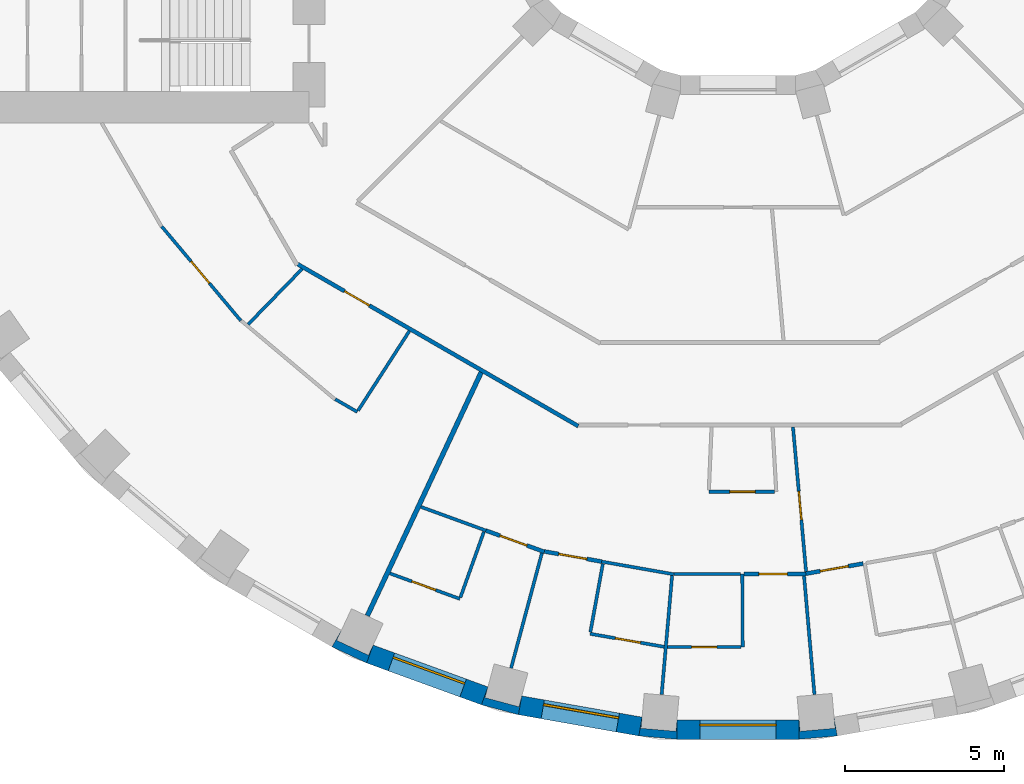
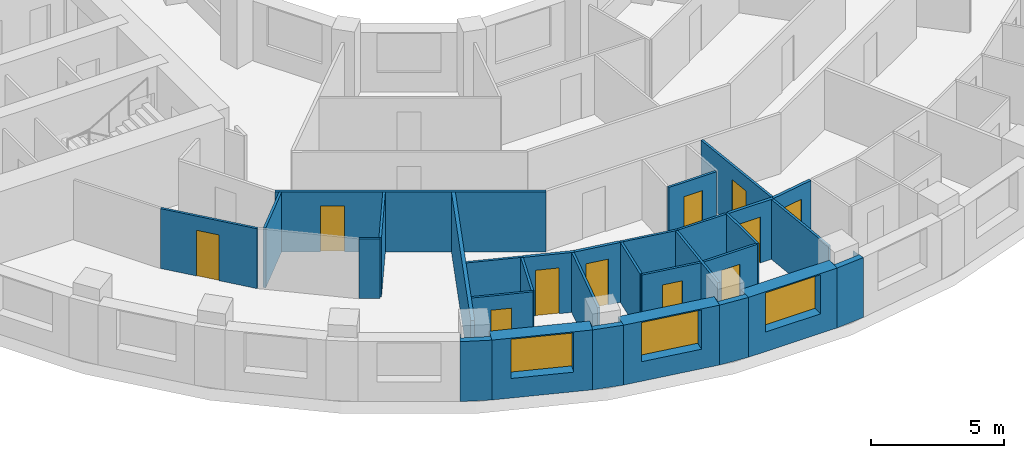
# One storey, part 4 of 15: 31 walls, 11 doors, 3 windows, 14 openings.
"""IFC4 building model written with IfcOpenShell, lengths in metres."""

from ifc_helpers import new_model, si_unit, direction, frame, frame_2d, origin, place, context, subcontext, project, spatial, polyline, rectangle, outline, extrude, material, layer, layer_set, type_object, element, fill, save


model = new_model("IFC4")

# Units and contexts
model_context = context("Model", 3, precision=1e-05, world=origin(), true_north=direction((0.0, 1.0)))
body_context = subcontext(model_context, "Body", "Model", "MODEL_VIEW")
ifc_project = project(units=[si_unit("LENGTHUNIT", "METRE"), si_unit("AREAUNIT", "SQUARE_METRE"), si_unit("VOLUMEUNIT", "CUBIC_METRE"), si_unit("PLANEANGLEUNIT", "RADIAN"), si_unit("MASSUNIT", "GRAM", prefix="KILO")], contexts=[model_context])

# Site, building, storey
site_placement = place(None, origin())
site = spatial("IfcSite", under=ifc_project, at=site_placement, CompositionType="ELEMENT")
building_placement = place(site_placement, origin())
building = spatial("IfcBuilding", under=site, at=building_placement, Name="Saqina Gate Tower", CompositionType="ELEMENT")
storey_placement = place(building_placement, frame((0.0, 0.0, 62.60009765625)))
storey = spatial("IfcBuildingStorey", under=building, at=storey_placement, Name="L17", CompositionType="ELEMENT", Elevation=62.60009765625)

# Walls
ifc_material_1 = material(Name="Brick masonry (red)", Category="masonry")
wall_type_1 = type_object("IfcWallType", Name="BRICK PIER COPING RED", PredefinedType="SOLIDWALL", material=ifc_material_1)
wall_1_placement = place(storey_placement, origin())
element("IfcWall", 1, at=wall_1_placement, inside=storey, type_object=wall_type_1, Name="Pier cap L17 column 25", PredefinedType="SOLIDWALL", context=body_context, shape_type="SweptSolid", body=[
    extrude(outline(polyline([(-11.687744140625, -26.48974609375), (-11.482666015625, -25.92578125), (-11.630615234375, -26.243408203125), (-12.627685546875, -25.778564453125), (-12.4794921875, -25.4609375), (-12.779541015625, -25.980712890625), (-11.687744140625, -26.48974609375)])), origin(), (0.0, 0.0, 1.0), 2.75),
])
wall_2_placement = place(storey_placement, origin())
element("IfcWall", 2, at=wall_2_placement, inside=storey, type_object=wall_type_1, Name="Pier cap L17 column 26", PredefinedType="SOLIDWALL", context=body_context, shape_type="SweptSolid", body=[
    extrude(outline(polyline([(-6.910400390625, -28.11669921875), (-6.80615234375, -27.52587890625), (-6.896728515625, -27.864501953125), (-7.95947265625, -27.57958984375), (-7.86865234375, -27.2412109375), (-8.073974609375, -27.80517578125), (-6.910400390625, -28.11669921875)])), origin(), (0.0, 0.0, 1.0), 2.75),
])
wall_3_placement = place(storey_placement, origin())
element("IfcWall", 3, at=wall_3_placement, inside=storey, type_object=wall_type_1, Name="Pier cap L17 column 27", PredefinedType="SOLIDWALL", context=body_context, shape_type="SweptSolid", body=[
    extrude(outline(polyline([(-3.122802734375, -28.78466796875), (-1.9228515625, -28.8896484375), (-1.9228515625, -28.28955078125), (-1.95361328125, -28.638671875), (-3.04931640625, -28.54296875), (-3.018798828125, -28.19384765625), (-3.122802734375, -28.78466796875)])), origin(), (0.0, 0.0, 1.0), 2.75),
])
wall_4_placement = place(storey_placement, origin())
element("IfcWall", 4, at=wall_4_placement, inside=storey, type_object=wall_type_1, Name="Pier cap L17 column 28", PredefinedType="SOLIDWALL", context=body_context, shape_type="SweptSolid", body=[
    extrude(outline(polyline([(1.9228515625, -28.8896484375), (3.122802734375, -28.78466796875), (3.018798828125, -28.19384765625), (3.04931640625, -28.54296875), (1.95361328125, -28.638671875), (1.9228515625, -28.28955078125), (1.9228515625, -28.8896484375)])), origin(), (0.0, 0.0, 1.0), 2.75),
])

# Wall, opening, window
ifc_material_2 = material(Name="Brick masonry (red)", Category="masonry")
ifc_layer_1 = layer(ifc_material_2, 0.60009765625)
ifc_layer_set_1 = layer_set([ifc_layer_1], Name="FW-BRICK-RED")
wall_type_2 = type_object("IfcWallType", Name="FW-BRICK-RED", PredefinedType="SOLIDWALL", material=ifc_layer_set_1)
wall_5_placement = place(storey_placement, frame((-11.585205078125, -26.207763671875, 0.0), z_axis=(0.0, 0.0, 1.0), x_axis=(0.939689588564, -0.342028474173, 0.0)))
wall_5 = element("IfcWall", 5, at=wall_5_placement, inside=storey, type_object=wall_type_2, Name="Facade wall L17 facet 25", PredefinedType="SOLIDWALL", context=body_context, shape_type="SweptSolid", body=[
    extrude(rectangle(XDim=3.845947265625, YDim=0.60009765625, at=frame_2d((1.9228515625, 0.0))), origin(), (0.0, 0.0, 1.0), 2.75),
])
opening_1_placement = place(wall_5_placement, frame((0.722900390625, 0.0, 0.89990234375)))
opening_1 = element("IfcOpeningElement", 6, at=opening_1_placement, cuts=wall_5, Name="Opening G04-W15", PredefinedType="OPENING", context=body_context, shape_type="SweptSolid", body=[
    extrude(rectangle(XDim=2.39990234375, YDim=1.800048828125, at=frame_2d((1.199951171875, 0.89990234375))), frame((0.0, 0.31201171875, 0.0), z_axis=(0.0, -1.0, 0.0), x_axis=(1.0, 0.0, 0.0)), (0.0, 0.0, 1.0), 0.6240234375),
])
ifc_material_3 = material(Name="Aluminium glazing", Category="aluminium")
window_type = type_object("IfcWindowType", Name="WN-A", PartitioningType="SINGLE_PANEL", PredefinedType="WINDOW", material=ifc_material_3)
window_1_placement = place(opening_1_placement, origin())
window_1 = element("IfcWindow", 7, at=window_1_placement, inside=storey, type_object=window_type, Name="Window L17 facet 25", OverallHeight=1.800048828125, OverallWidth=2.39990234375, PartitioningType="SINGLE_PANEL", PredefinedType="WINDOW", context=body_context, shape_type="SweptSolid", body=[
    extrude(rectangle(XDim=2.39990234375, YDim=1.800048828125, at=frame_2d((1.199951171875, 0.89990234375))), frame((0.0, 0.179931640625, 0.0), z_axis=(0.0, -1.0, 0.0), x_axis=(1.0, 0.0, 0.0)), (0.0, 0.0, 1.0), 0.06005859375),
])
fill(opening_1, window_1)

wall_6_placement = place(storey_placement, frame((-6.858154296875, -27.8212890625, 0.0), z_axis=(0.0, 0.0, 1.0), x_axis=(0.984800809218, -0.173687553279, 0.0)))
wall_6 = element("IfcWall", 8, at=wall_6_placement, inside=storey, type_object=wall_type_2, Name="Facade wall L17 facet 26", PredefinedType="SOLIDWALL", context=body_context, shape_type="SweptSolid", body=[
    extrude(rectangle(XDim=3.845703125, YDim=0.60009765625, at=frame_2d((1.9228515625, 0.0))), origin(), (0.0, 0.0, 1.0), 2.75),
])
opening_2_placement = place(wall_6_placement, frame((0.722900390625, 0.0, 0.89990234375)))
opening_2 = element("IfcOpeningElement", 9, at=opening_2_placement, cuts=wall_6, Name="Opening G04-W16", PredefinedType="OPENING", context=body_context, shape_type="SweptSolid", body=[
    extrude(rectangle(XDim=2.39990234375, YDim=1.800048828125, at=frame_2d((1.199951171875, 0.89990234375))), frame((0.0, 0.31201171875, 0.0), z_axis=(0.0, -1.0, 0.0), x_axis=(1.0, 0.0, 0.0)), (0.0, 0.0, 1.0), 0.6240234375),
])
window_2_placement = place(opening_2_placement, origin())
window_2 = element("IfcWindow", 10, at=window_2_placement, inside=storey, type_object=window_type, Name="Window L17 facet 26", OverallHeight=1.800048828125, OverallWidth=2.39990234375, PartitioningType="SINGLE_PANEL", PredefinedType="WINDOW", context=body_context, shape_type="SweptSolid", body=[
    extrude(rectangle(XDim=2.39990234375, YDim=1.800048828125, at=frame_2d((1.199951171875, 0.89990234375))), frame((0.0, 0.179931640625, 0.0), z_axis=(0.0, -1.0, 0.0), x_axis=(1.0, 0.0, 0.0)), (0.0, 0.0, 1.0), 0.06005859375),
])
fill(opening_2, window_2)

wall_7_placement = place(storey_placement, frame((-1.9228515625, -28.589599609375, 0.0), z_axis=(0.0, 0.0, 1.0), x_axis=(1.0, 0.0, 0.0)))
wall_7 = element("IfcWall", 11, at=wall_7_placement, inside=storey, type_object=wall_type_2, Name="Facade wall L17 facet 27", PredefinedType="SOLIDWALL", context=body_context, shape_type="SweptSolid", body=[
    extrude(rectangle(XDim=3.845703125, YDim=0.60009765625, at=frame_2d((1.9228515625, 0.0))), origin(), (0.0, 0.0, 1.0), 2.75),
])
opening_3_placement = place(wall_7_placement, frame((0.722900390625, 0.0, 0.89990234375)))
opening_3 = element("IfcOpeningElement", 12, at=opening_3_placement, cuts=wall_7, Name="Opening G04-W17", PredefinedType="OPENING", context=body_context, shape_type="SweptSolid", body=[
    extrude(rectangle(XDim=2.39990234375, YDim=1.800048828125, at=frame_2d((1.199951171875, 0.89990234375))), frame((0.0, 0.31201171875, 0.0), z_axis=(0.0, -1.0, 0.0), x_axis=(1.0, 0.0, 0.0)), (0.0, 0.0, 1.0), 0.6240234375),
])
window_3_placement = place(opening_3_placement, origin())
window_3 = element("IfcWindow", 13, at=window_3_placement, inside=storey, type_object=window_type, Name="Window L17 facet 27", OverallHeight=1.800048828125, OverallWidth=2.39990234375, PartitioningType="SINGLE_PANEL", PredefinedType="WINDOW", context=body_context, shape_type="SweptSolid", body=[
    extrude(rectangle(XDim=2.39990234375, YDim=1.800048828125, at=frame_2d((1.199951171875, 0.89990234375))), frame((0.0, 0.179931640625, 0.0), z_axis=(0.0, -1.0, 0.0), x_axis=(1.0, 0.0, 0.0)), (0.0, 0.0, 1.0), 0.06005859375),
])
fill(opening_3, window_3)

# Walls
ifc_material_4 = material(Name="Gypsum board on steel studs, 100 mm", Category="steel")
ifc_layer_2 = layer(ifc_material_4, 0.10009765625)
ifc_layer_set_2 = layer_set([ifc_layer_2], Name="PARTITION 100")
wall_type_3 = type_object("IfcWallType", Name="PARTITION 100", PredefinedType="PARTITIONING", material=ifc_layer_set_2)
wall_8_placement = place(storey_placement, frame((0.133056640625, -23.68994140625, 0.0), z_axis=(0.0, 0.0, 1.0), x_axis=(0.005625640731, -0.999984175958, 0.0)))
element("IfcWall", 14, at=wall_8_placement, inside=storey, type_object=wall_type_3, Name="PARTITION PW3-01", PredefinedType="PARTITIONING", context=body_context, shape_type="SweptSolid", body=[
    extrude(rectangle(XDim=2.300048828125, YDim=0.10009765625, at=frame_2d((1.14990234375, 0.0))), origin(), (0.0, 0.0, 1.0), 2.75),
])
wall_9_placement = place(storey_placement, frame((2.07666015625, -23.75244140625, 0.0), z_axis=(0.0, 0.0, 1.0), x_axis=(0.087439331166, -0.996169846645, 0.0)))
element("IfcWall", 15, at=wall_9_placement, inside=storey, type_object=wall_type_3, Name="PARTITION PW3-03", PredefinedType="PARTITIONING", context=body_context, shape_type="SweptSolid", body=[
    extrude(rectangle(XDim=3.7470703125, YDim=0.10009765625, at=frame_2d((1.87353515625, 0.0))), origin(), (0.0, 0.0, 1.0), 2.75),
])

# Wall, opening, door
wall_10_placement = place(storey_placement, frame((1.7275390625, -19.062255859375, 0.0), z_axis=(0.0, 0.0, 1.0), x_axis=(0.090314228744, -0.995913319565, 0.0)))
wall_10 = element("IfcWall", 16, at=wall_10_placement, inside=storey, type_object=wall_type_3, Name="PARTITION PW3-06", PredefinedType="PARTITIONING", context=body_context, shape_type="SweptSolid", body=[
    extrude(rectangle(XDim=4.5712890625, YDim=0.10009765625, at=frame_2d((2.28564453125, 0.0))), origin(), (0.0, 0.0, 1.0), 2.75),
])
opening_4_placement = place(wall_10_placement, frame((2.03564453125, 0.0, 0.0)))
opening_4 = element("IfcOpeningElement", 17, at=opening_4_placement, cuts=wall_10, Name="Opening G04-D51", PredefinedType="OPENING", context=body_context, shape_type="SweptSolid", body=[
    extrude(rectangle(XDim=0.89990234375, YDim=2.10009765625, at=frame_2d((0.449951171875, 1.050048828125))), frame((0.0, 0.06201171875, 0.0), z_axis=(0.0, -1.0, 0.0), x_axis=(1.0, 0.0, 0.0)), (0.0, 0.0, 1.0), 0.1240234375),
])
ifc_material_5 = material(Name="Timber door leaf, 900 mm", Category="wood")
door_type_1 = type_object("IfcDoorType", Name="DOOR 900 TIMBER", OperationType="SINGLE_SWING_LEFT", PredefinedType="DOOR", material=ifc_material_5)
door_1_placement = place(opening_4_placement, frame((0.89990234375, 0.0, 0.0), z_axis=(0.0, 0.0, 1.0), x_axis=(-1.0, 0.0, 0.0)))
door_1 = element("IfcDoor", 18, at=door_1_placement, inside=storey, type_object=door_type_1, Name="DOOR G04-D51", OperationType="SINGLE_SWING_RIGHT", OverallHeight=2.10009765625, OverallWidth=0.89990234375, PredefinedType="DOOR", context=body_context, shape_type="SweptSolid", body=[
    extrude(rectangle(XDim=0.89990234375, YDim=2.10009765625, at=frame_2d((0.449951171875, 1.050048828125))), frame((0.0, 0.02490234375, 0.0), z_axis=(0.0, -1.0, 0.0), x_axis=(1.0, 0.0, 0.0)), (0.0, 0.0, 1.0), 0.050048828125),
])
fill(opening_4, door_1)

wall_11_placement = place(storey_placement, frame((-18.1318359375, -12.75634765625, 0.0), z_axis=(0.0, 0.0, 1.0), x_axis=(0.642851400185, -0.765990912009, 0.0)))
wall_11 = element("IfcWall", 19, at=wall_11_placement, inside=storey, type_object=wall_type_3, Name="PARTITION PW3-21", PredefinedType="PARTITIONING", context=body_context, shape_type="SweptSolid", body=[
    extrude(rectangle(XDim=3.8662109375, YDim=0.10009765625, at=frame_2d((1.93310546875, 0.0))), origin(), (0.0, 0.0, 1.0), 2.75),
])
opening_5_placement = place(wall_11_placement, frame((1.432861328125, 0.0, 0.0)))
opening_5 = element("IfcOpeningElement", 20, at=opening_5_placement, cuts=wall_11, Name="Opening G04-D38", PredefinedType="OPENING", context=body_context, shape_type="SweptSolid", body=[
    extrude(rectangle(XDim=0.89990234375, YDim=2.10009765625, at=frame_2d((0.449951171875, 1.050048828125))), frame((0.0, 0.06201171875, 0.0), z_axis=(0.0, -1.0, 0.0), x_axis=(1.0, 0.0, 0.0)), (0.0, 0.0, 1.0), 0.1240234375),
])
door_2_placement = place(opening_5_placement, frame((0.89990234375, 0.0, 0.0), z_axis=(0.0, 0.0, 1.0), x_axis=(-1.0, 0.0, 0.0)))
door_2 = element("IfcDoor", 21, at=door_2_placement, inside=storey, type_object=door_type_1, Name="DOOR G04-D38", OperationType="SINGLE_SWING_RIGHT", OverallHeight=2.10009765625, OverallWidth=0.89990234375, PredefinedType="DOOR", context=body_context, shape_type="SweptSolid", body=[
    extrude(rectangle(XDim=0.89990234375, YDim=2.10009765625, at=frame_2d((0.449951171875, 1.050048828125))), frame((0.0, 0.02490234375, 0.0), z_axis=(0.0, -1.0, 0.0), x_axis=(1.0, 0.0, 0.0)), (0.0, 0.0, 1.0), 0.050048828125),
])
fill(opening_5, door_2)

# Wall
wall_12_placement = place(storey_placement, frame((-12.6748046875, -18.18896484375, 0.0), z_axis=(0.0, 0.0, 1.0), x_axis=(0.865961984968, -0.500109828528, 0.0)))
element("IfcWall", 22, at=wall_12_placement, inside=storey, type_object=wall_type_3, Name="PARTITION PW3-39", PredefinedType="PARTITIONING", context=body_context, shape_type="SweptSolid", body=[
    extrude(rectangle(XDim=0.800048828125, YDim=0.10009765625, at=frame_2d((0.39990234375, 0.0))), origin(), (0.0, 0.0, 1.0), 2.75),
])

# Wall, opening, door
wall_13_placement = place(storey_placement, frame((-10.95458984375, -23.670654296875, 0.0), z_axis=(0.0, 0.0, 1.0), x_axis=(0.939750838969, -0.341860147805, 0.0)))
wall_13 = element("IfcWall", 23, at=wall_13_placement, inside=storey, type_object=wall_type_3, Name="PARTITION PW3-47", PredefinedType="PARTITIONING", context=body_context, shape_type="SweptSolid", body=[
    extrude(rectangle(XDim=2.34375, YDim=0.10009765625, at=frame_2d((1.171875, 0.0))), origin(), (0.0, 0.0, 1.0), 2.75),
])
opening_6_placement = place(wall_13_placement, frame((0.734375, 0.0, 0.0)))
opening_6 = element("IfcOpeningElement", 24, at=opening_6_placement, cuts=wall_13, Name="Opening G04-D42", PredefinedType="OPENING", context=body_context, shape_type="SweptSolid", body=[
    extrude(rectangle(XDim=0.800048828125, YDim=2.10009765625, at=frame_2d((0.39990234375, 1.050048828125))), frame((0.0, 0.06201171875, 0.0), z_axis=(0.0, -1.0, 0.0), x_axis=(1.0, 0.0, 0.0)), (0.0, 0.0, 1.0), 0.1240234375),
])
ifc_material_6 = material(Name="Timber door leaf, 800 mm", Category="wood")
door_type_2 = type_object("IfcDoorType", Name="DOOR 800 TIMBER", OperationType="SINGLE_SWING_LEFT", PredefinedType="DOOR", material=ifc_material_6)
door_3_placement = place(opening_6_placement, frame((0.800048828125, 0.0, 0.0), z_axis=(0.0, 0.0, 1.0), x_axis=(-1.0, 0.0, 0.0)))
door_3 = element("IfcDoor", 25, at=door_3_placement, inside=storey, type_object=door_type_2, Name="DOOR G04-D42", OperationType="SINGLE_SWING_RIGHT", OverallHeight=2.10009765625, OverallWidth=0.800048828125, PredefinedType="DOOR", context=body_context, shape_type="SweptSolid", body=[
    extrude(rectangle(XDim=0.800048828125, YDim=2.10009765625, at=frame_2d((0.39990234375, 1.050048828125))), frame((0.0, 0.02490234375, 0.0), z_axis=(0.0, -1.0, 0.0), x_axis=(1.0, 0.0, 0.0)), (0.0, 0.0, 1.0), 0.050048828125),
])
fill(opening_6, door_3)

# Wall
wall_14_placement = place(storey_placement, frame((-9.9794921875, -21.57763671875, 0.0), z_axis=(0.0, 0.0, 1.0), x_axis=(0.939731280586, -0.341913907714, 0.0)))
element("IfcWall", 26, at=wall_14_placement, inside=storey, type_object=wall_type_3, Name="PARTITION PW3-48", PredefinedType="PARTITIONING", context=body_context, shape_type="SweptSolid", body=[
    extrude(rectangle(XDim=2.179931640625, YDim=0.10009765625, at=frame_2d((1.08984375, 0.0))), origin(), (0.0, 0.0, 1.0), 2.75),
])

# Wall, opening, door
wall_15_placement = place(storey_placement, frame((-4.656005859375, -25.570068359375, 0.0), z_axis=(0.0, 0.0, 1.0), x_axis=(0.984821926169, -0.173567778511, 0.0)))
wall_15 = element("IfcWall", 27, at=wall_15_placement, inside=storey, type_object=wall_type_3, Name="PARTITION PW3-51", PredefinedType="PARTITIONING", context=body_context, shape_type="SweptSolid", body=[
    extrude(rectangle(XDim=2.36865234375, YDim=0.10009765625, at=frame_2d((1.184326171875, 0.0))), origin(), (0.0, 0.0, 1.0), 2.75),
])
opening_7_placement = place(wall_15_placement, frame((0.809326171875, 0.0, 0.0)))
opening_7 = element("IfcOpeningElement", 28, at=opening_7_placement, cuts=wall_15, Name="Opening G04-D46", PredefinedType="OPENING", context=body_context, shape_type="SweptSolid", body=[
    extrude(rectangle(XDim=0.800048828125, YDim=2.10009765625, at=frame_2d((0.39990234375, 1.050048828125))), frame((0.0, 0.06201171875, 0.0), z_axis=(0.0, -1.0, 0.0), x_axis=(1.0, 0.0, 0.0)), (0.0, 0.0, 1.0), 0.1240234375),
])
door_4_placement = place(opening_7_placement, frame((0.800048828125, 0.0, 0.0), z_axis=(0.0, 0.0, 1.0), x_axis=(-1.0, 0.0, 0.0)))
door_4 = element("IfcDoor", 29, at=door_4_placement, inside=storey, type_object=door_type_2, Name="DOOR G04-D46", OperationType="SINGLE_SWING_LEFT", OverallHeight=2.10009765625, OverallWidth=0.800048828125, PredefinedType="DOOR", context=body_context, shape_type="SweptSolid", body=[
    extrude(rectangle(XDim=0.800048828125, YDim=2.10009765625, at=frame_2d((0.39990234375, 1.050048828125))), frame((0.0, 0.02490234375, 0.0), z_axis=(0.0, -1.0, 0.0), x_axis=(1.0, 0.0, 0.0)), (0.0, 0.0, 1.0), 0.050048828125),
])
fill(opening_7, door_4)

# Wall
wall_16_placement = place(storey_placement, frame((-4.293212890625, -23.29833984375, 0.0), z_axis=(0.0, 0.0, 1.0), x_axis=(0.984801677979, -0.173682627367, 0.0)))
element("IfcWall", 30, at=wall_16_placement, inside=storey, type_object=wall_type_3, Name="PARTITION PW3-52", PredefinedType="PARTITIONING", context=body_context, shape_type="SweptSolid", body=[
    extrude(rectangle(XDim=2.305419921875, YDim=0.10009765625, at=frame_2d((1.15283203125, 0.0))), origin(), (0.0, 0.0, 1.0), 2.75),
])

# Wall, opening, door
wall_17_placement = place(storey_placement, frame((-2.22412109375, -25.989990234375, 0.0), z_axis=(0.0, 0.0, 1.0), x_axis=(1.0, 0.0, 0.0)))
wall_17 = element("IfcWall", 31, at=wall_17_placement, inside=storey, type_object=wall_type_3, Name="PARTITION PW3-55", PredefinedType="PARTITIONING", context=body_context, shape_type="SweptSolid", body=[
    extrude(rectangle(XDim=2.320068359375, YDim=0.10009765625, at=frame_2d((1.16015625, 0.0))), origin(), (0.0, 0.0, 1.0), 2.75),
])
opening_8_placement = place(wall_17_placement, frame((0.760009765625, 0.0, 0.0)))
opening_8 = element("IfcOpeningElement", 32, at=opening_8_placement, cuts=wall_17, Name="Opening G04-D47", PredefinedType="OPENING", context=body_context, shape_type="SweptSolid", body=[
    extrude(rectangle(XDim=0.800048828125, YDim=2.10009765625, at=frame_2d((0.39990234375, 1.050048828125))), frame((0.0, 0.06201171875, 0.0), z_axis=(0.0, -1.0, 0.0), x_axis=(1.0, 0.0, 0.0)), (0.0, 0.0, 1.0), 0.1240234375),
])
door_5_placement = place(opening_8_placement, frame((0.800048828125, 0.0, 0.0), z_axis=(0.0, 0.0, 1.0), x_axis=(-1.0, 0.0, 0.0)))
door_5 = element("IfcDoor", 33, at=door_5_placement, inside=storey, type_object=door_type_2, Name="DOOR G04-D47", OperationType="SINGLE_SWING_RIGHT", OverallHeight=2.10009765625, OverallWidth=0.800048828125, PredefinedType="DOOR", context=body_context, shape_type="SweptSolid", body=[
    extrude(rectangle(XDim=0.800048828125, YDim=2.10009765625, at=frame_2d((0.39990234375, 1.050048828125))), frame((0.0, 0.02490234375, 0.0), z_axis=(0.0, -1.0, 0.0), x_axis=(1.0, 0.0, 0.0)), (0.0, 0.0, 1.0), 0.050048828125),
])
fill(opening_8, door_5)

# Wall
wall_18_placement = place(storey_placement, frame((-2.02294921875, -23.68994140625, 0.0), z_axis=(0.0, 0.0, 1.0), x_axis=(1.0, 0.0, 0.0)))
element("IfcWall", 34, at=wall_18_placement, inside=storey, type_object=wall_type_3, Name="PARTITION PW3-56", PredefinedType="PARTITIONING", context=body_context, shape_type="SweptSolid", body=[
    extrude(rectangle(XDim=2.10595703125, YDim=0.10009765625, at=frame_2d((1.052978515625, 0.0))), origin(), (0.0, 0.0, 1.0), 2.75),
])

# Wall, opening, door
wall_19_placement = place(storey_placement, frame((-0.9208984375, -21.10009765625, 0.0), z_axis=(0.0, 0.0, 1.0), x_axis=(1.0, 0.0, 0.0)))
wall_19 = element("IfcWall", 35, at=wall_19_placement, inside=storey, type_object=wall_type_3, Name="PARTITION PW3-57", PredefinedType="PARTITIONING", context=body_context, shape_type="SweptSolid", body=[
    extrude(rectangle(XDim=2.072998046875, YDim=0.10009765625, at=frame_2d((1.03662109375, 0.0))), origin(), (0.0, 0.0, 1.0), 2.75),
])
opening_9_placement = place(wall_19_placement, frame((0.66162109375, 0.0, 0.0)))
opening_9 = element("IfcOpeningElement", 36, at=opening_9_placement, cuts=wall_19, Name="Opening G04-D49", PredefinedType="OPENING", context=body_context, shape_type="SweptSolid", body=[
    extrude(rectangle(XDim=0.800048828125, YDim=2.10009765625, at=frame_2d((0.39990234375, 1.050048828125))), frame((0.0, 0.06201171875, 0.0), z_axis=(0.0, -1.0, 0.0), x_axis=(1.0, 0.0, 0.0)), (0.0, 0.0, 1.0), 0.1240234375),
])
door_6_placement = place(opening_9_placement, frame((0.800048828125, 0.0, 0.0), z_axis=(0.0, 0.0, 1.0), x_axis=(-1.0, 0.0, 0.0)))
door_6 = element("IfcDoor", 37, at=door_6_placement, inside=storey, type_object=door_type_2, Name="DOOR G04-D49", OperationType="SINGLE_SWING_LEFT", OverallHeight=2.10009765625, OverallWidth=0.800048828125, PredefinedType="DOOR", context=body_context, shape_type="SweptSolid", body=[
    extrude(rectangle(XDim=0.800048828125, YDim=2.10009765625, at=frame_2d((0.39990234375, 1.050048828125))), frame((0.0, 0.02490234375, 0.0), z_axis=(0.0, -1.0, 0.0), x_axis=(1.0, 0.0, 0.0)), (0.0, 0.0, 1.0), 0.050048828125),
])
fill(opening_9, door_6)

# Walls
wall_20_placement = place(storey_placement, frame((-15.4150390625, -15.835205078125, 0.0), z_axis=(0.0, 0.0, 1.0), x_axis=(0.697366094861, 0.716715096631, 0.0)))
element("IfcWall", 38, at=wall_20_placement, inside=storey, type_object=wall_type_3, Name="PARTITION PW3-83", PredefinedType="PARTITIONING", context=body_context, shape_type="SweptSolid", body=[
    extrude(rectangle(XDim=2.435302734375, YDim=0.10009765625, at=frame_2d((1.2177734375, 0.0))), origin(), (0.0, 0.0, 1.0), 2.75),
])
wall_21_placement = place(storey_placement, frame((-11.954833984375, -18.546875, 0.0), z_axis=(0.0, 0.0, 1.0), x_axis=(0.541837653492, 0.840483168932, 0.0)))
element("IfcWall", 39, at=wall_21_placement, inside=storey, type_object=wall_type_3, Name="PARTITION PW3-90", PredefinedType="PARTITIONING", context=body_context, shape_type="SweptSolid", body=[
    extrude(rectangle(XDim=2.98046875, YDim=0.10009765625, at=frame_2d((1.490234375, 0.0))), origin(), (0.0, 0.0, 1.0), 2.75),
])
wall_22_placement = place(storey_placement, frame((-8.735107421875, -24.4248046875, 0.0), z_axis=(0.0, 0.0, 1.0), x_axis=(0.336477788464, 0.941691402674, 0.0)))
element("IfcWall", 40, at=wall_22_placement, inside=storey, type_object=wall_type_3, Name="PARTITION PW3-103", PredefinedType="PARTITIONING", context=body_context, shape_type="SweptSolid", body=[
    extrude(rectangle(XDim=2.1875, YDim=0.10009765625, at=frame_2d((1.09375, 0.0))), origin(), (0.0, 0.0, 1.0), 2.75),
])
wall_23_placement = place(storey_placement, frame((-7.14111328125, -26.64990234375, 0.0), z_axis=(0.0, 0.0, 1.0), x_axis=(0.258842464283, 0.965919550834, 0.0)))
element("IfcWall", 41, at=wall_23_placement, inside=storey, type_object=wall_type_3, Name="PARTITION PW3-106", PredefinedType="PARTITIONING", context=body_context, shape_type="SweptSolid", body=[
    extrude(rectangle(XDim=3.747314453125, YDim=0.10009765625, at=frame_2d((1.87353515625, 0.0))), origin(), (0.0, 0.0, 1.0), 2.75),
])
wall_24_placement = place(storey_placement, frame((-4.64697265625, -25.520751953125, 0.0), z_axis=(0.0, 0.0, 1.0), x_axis=(0.179130970408, 0.983825236229, 0.0)))
element("IfcWall", 42, at=wall_24_placement, inside=storey, type_object=wall_type_3, Name="PARTITION PW3-109", PredefinedType="PARTITIONING", context=body_context, shape_type="SweptSolid", body=[
    extrude(rectangle(XDim=2.1875, YDim=0.10009765625, at=frame_2d((1.09375, 0.0))), origin(), (0.0, 0.0, 1.0), 2.75),
])
wall_25_placement = place(storey_placement, frame((-2.404296875, -27.485107421875, 0.0), z_axis=(0.0, 0.0, 1.0), x_axis=(0.087473063517, 0.996166885195, 0.0)))
element("IfcWall", 43, at=wall_25_placement, inside=storey, type_object=wall_type_3, Name="PARTITION PW3-111", PredefinedType="PARTITIONING", context=body_context, shape_type="SweptSolid", body=[
    extrude(rectangle(XDim=3.759521484375, YDim=0.10009765625, at=frame_2d((1.8798828125, 0.0))), origin(), (0.0, 0.0, 1.0), 2.75),
])

# Wall, opening, door
ifc_material_7 = material(Name="Gypsum board on steel studs, 125 mm, fire rated", Category="steel")
ifc_layer_3 = layer(ifc_material_7, 0.125)
ifc_layer_set_3 = layer_set([ifc_layer_3], Name="PARTITION EI 30 125")
wall_type_4 = type_object("IfcWallType", Name="PARTITION EI 30 125", PredefinedType="PARTITIONING", material=ifc_layer_set_3)
wall_26_placement = place(storey_placement, frame((-13.85498046875, -13.940185546875, 0.0), z_axis=(0.0, 0.0, 1.0), x_axis=(0.866024825845, -0.50000100102, 0.0)))
wall_26 = element("IfcWall", 44, at=wall_26_placement, inside=storey, type_object=wall_type_4, Name="PARTITION PW1-10", PredefinedType="PARTITIONING", context=body_context, shape_type="SweptSolid", body=[
    extrude(rectangle(XDim=10.19189453125, YDim=0.125, at=frame_2d((5.095947265625, 0.0))), origin(), (0.0, 0.0, 1.0), 2.75),
])
opening_10_placement = place(wall_26_placement, frame((1.703857421875, 0.0, 0.0)))
opening_10 = element("IfcOpeningElement", 45, at=opening_10_placement, cuts=wall_26, Name="Opening G04-D39", PredefinedType="OPENING", context=body_context, shape_type="SweptSolid", body=[
    extrude(rectangle(XDim=0.89990234375, YDim=2.10009765625, at=frame_2d((0.449951171875, 1.050048828125))), frame((0.0, 0.074462890625, 0.0), z_axis=(0.0, -1.0, 0.0), x_axis=(1.0, 0.0, 0.0)), (0.0, 0.0, 1.0), 0.14892578125),
])
ifc_material_8 = material(Name="Fire door leaf EI 30, 900 mm")
door_type_3 = type_object("IfcDoorType", Name="DOOR 900 EI 30", OperationType="SINGLE_SWING_LEFT", PredefinedType="DOOR", material=ifc_material_8)
door_7_placement = place(opening_10_placement, frame((0.89990234375, 0.0, 0.0), z_axis=(0.0, 0.0, 1.0), x_axis=(-1.0, 0.0, 0.0)))
door_7 = element("IfcDoor", 46, at=door_7_placement, inside=storey, type_object=door_type_3, Name="DOOR G04-D39", OperationType="SINGLE_SWING_RIGHT", OverallHeight=2.10009765625, OverallWidth=0.89990234375, PredefinedType="DOOR", context=body_context, shape_type="SweptSolid", body=[
    extrude(rectangle(XDim=0.89990234375, YDim=2.10009765625, at=frame_2d((0.449951171875, 1.050048828125))), frame((0.0, 0.02490234375, 0.0), z_axis=(0.0, -1.0, 0.0), x_axis=(1.0, 0.0, 0.0)), (0.0, 0.0, 1.0), 0.050048828125),
])
fill(opening_10, door_7)

wall_27_placement = place(storey_placement, frame((-7.930908203125, -22.322998046875, 0.0), z_axis=(0.0, 0.0, 1.0), x_axis=(0.9395852567, -0.342314979795, 0.0)))
wall_27 = element("IfcWall", 47, at=wall_27_placement, inside=storey, type_object=wall_type_4, Name="PARTITION PW1-17", PredefinedType="PARTITIONING", context=body_context, shape_type="SweptSolid", body=[
    extrude(rectangle(XDim=1.953369140625, YDim=0.125, at=frame_2d((0.9765625, 0.0))), origin(), (0.0, 0.0, 1.0), 2.75),
])
opening_11_placement = place(wall_27_placement, frame((0.47021484375, 0.0, 0.0)))
opening_11 = element("IfcOpeningElement", 48, at=opening_11_placement, cuts=wall_27, Name="Opening G04-D43", PredefinedType="OPENING", context=body_context, shape_type="SweptSolid", body=[
    extrude(rectangle(XDim=0.89990234375, YDim=2.10009765625, at=frame_2d((0.449951171875, 1.050048828125))), frame((0.0, 0.074462890625, 0.0), z_axis=(0.0, -1.0, 0.0), x_axis=(1.0, 0.0, 0.0)), (0.0, 0.0, 1.0), 0.14892578125),
])
door_8_placement = place(opening_11_placement, origin())
door_8 = element("IfcDoor", 49, at=door_8_placement, inside=storey, type_object=door_type_3, Name="DOOR G04-D43", OperationType="SINGLE_SWING_RIGHT", OverallHeight=2.10009765625, OverallWidth=0.89990234375, PredefinedType="DOOR", context=body_context, shape_type="SweptSolid", body=[
    extrude(rectangle(XDim=0.89990234375, YDim=2.10009765625, at=frame_2d((0.449951171875, 1.050048828125))), frame((0.0, 0.02490234375, 0.0), z_axis=(0.0, -1.0, 0.0), x_axis=(1.0, 0.0, 0.0)), (0.0, 0.0, 1.0), 0.050048828125),
])
fill(opening_11, door_8)

wall_28_placement = place(storey_placement, frame((-6.093505859375, -22.98095703125, 0.0), z_axis=(0.0, 0.0, 1.0), x_axis=(0.984813123205, -0.173617719035, 0.0)))
wall_28 = element("IfcWall", 50, at=wall_28_placement, inside=storey, type_object=wall_type_4, Name="PARTITION PW1-19", PredefinedType="PARTITIONING", context=body_context, shape_type="SweptSolid", body=[
    extrude(rectangle(XDim=1.828125, YDim=0.125, at=frame_2d((0.9140625, 0.0))), origin(), (0.0, 0.0, 1.0), 2.75),
])
opening_12_placement = place(wall_28_placement, frame((0.457763671875, 0.0, 0.0)))
opening_12 = element("IfcOpeningElement", 51, at=opening_12_placement, cuts=wall_28, Name="Opening G04-D44", PredefinedType="OPENING", context=body_context, shape_type="SweptSolid", body=[
    extrude(rectangle(XDim=0.89990234375, YDim=2.10009765625, at=frame_2d((0.449951171875, 1.050048828125))), frame((0.0, 0.074462890625, 0.0), z_axis=(0.0, -1.0, 0.0), x_axis=(1.0, 0.0, 0.0)), (0.0, 0.0, 1.0), 0.14892578125),
])
door_9_placement = place(opening_12_placement, origin())
door_9 = element("IfcDoor", 52, at=door_9_placement, inside=storey, type_object=door_type_3, Name="DOOR G04-D44", OperationType="SINGLE_SWING_LEFT", OverallHeight=2.10009765625, OverallWidth=0.89990234375, PredefinedType="DOOR", context=body_context, shape_type="SweptSolid", body=[
    extrude(rectangle(XDim=0.89990234375, YDim=2.10009765625, at=frame_2d((0.449951171875, 1.050048828125))), frame((0.0, 0.02490234375, 0.0), z_axis=(0.0, -1.0, 0.0), x_axis=(1.0, 0.0, 0.0)), (0.0, 0.0, 1.0), 0.050048828125),
])
fill(opening_12, door_9)

wall_29_placement = place(storey_placement, frame((0.18310546875, -23.68994140625, 0.0), z_axis=(0.0, 0.0, 1.0), x_axis=(1.0, 0.0, 0.0)))
wall_29 = element("IfcWall", 53, at=wall_29_placement, inside=storey, type_object=wall_type_4, Name="PARTITION PW1-21", PredefinedType="PARTITIONING", context=body_context, shape_type="SweptSolid", body=[
    extrude(rectangle(XDim=1.953369140625, YDim=0.125, at=frame_2d((0.9765625, 0.0))), origin(), (0.0, 0.0, 1.0), 2.75),
])
opening_13_placement = place(wall_29_placement, frame((0.469970703125, 0.0, 0.0)))
opening_13 = element("IfcOpeningElement", 54, at=opening_13_placement, cuts=wall_29, Name="Opening G04-D50", PredefinedType="OPENING", context=body_context, shape_type="SweptSolid", body=[
    extrude(rectangle(XDim=0.89990234375, YDim=2.10009765625, at=frame_2d((0.449951171875, 1.050048828125))), frame((0.0, 0.074462890625, 0.0), z_axis=(0.0, -1.0, 0.0), x_axis=(1.0, 0.0, 0.0)), (0.0, 0.0, 1.0), 0.14892578125),
])
door_10_placement = place(opening_13_placement, origin())
door_10 = element("IfcDoor", 55, at=door_10_placement, inside=storey, type_object=door_type_3, Name="DOOR G04-D50", OperationType="SINGLE_SWING_RIGHT", OverallHeight=2.10009765625, OverallWidth=0.89990234375, PredefinedType="DOOR", context=body_context, shape_type="SweptSolid", body=[
    extrude(rectangle(XDim=0.89990234375, YDim=2.10009765625, at=frame_2d((0.449951171875, 1.050048828125))), frame((0.0, 0.02490234375, 0.0), z_axis=(0.0, -1.0, 0.0), x_axis=(1.0, 0.0, 0.0)), (0.0, 0.0, 1.0), 0.050048828125),
])
fill(opening_13, door_10)

wall_30_placement = place(storey_placement, frame((2.134521484375, -23.67919921875, 0.0), z_axis=(0.0, 0.0, 1.0), x_axis=(0.984774141248, 0.173838691691, 0.0)))
wall_30 = element("IfcWall", 56, at=wall_30_placement, inside=storey, type_object=wall_type_4, Name="PARTITION PW1-27", PredefinedType="PARTITIONING", context=body_context, shape_type="SweptSolid", body=[
    extrude(rectangle(XDim=1.8271484375, YDim=0.125, at=frame_2d((0.91357421875, 0.0))), origin(), (0.0, 0.0, 1.0), 2.75),
])
opening_14_placement = place(wall_30_placement, frame((0.457275390625, 0.0, 0.0)))
opening_14 = element("IfcOpeningElement", 57, at=opening_14_placement, cuts=wall_30, Name="Opening G04-D52", PredefinedType="OPENING", context=body_context, shape_type="SweptSolid", body=[
    extrude(rectangle(XDim=0.89990234375, YDim=2.10009765625, at=frame_2d((0.449951171875, 1.050048828125))), frame((0.0, 0.074462890625, 0.0), z_axis=(0.0, -1.0, 0.0), x_axis=(1.0, 0.0, 0.0)), (0.0, 0.0, 1.0), 0.14892578125),
])
door_11_placement = place(opening_14_placement, origin())
door_11 = element("IfcDoor", 58, at=door_11_placement, inside=storey, type_object=door_type_3, Name="DOOR G04-D52", OperationType="SINGLE_SWING_LEFT", OverallHeight=2.10009765625, OverallWidth=0.89990234375, PredefinedType="DOOR", context=body_context, shape_type="SweptSolid", body=[
    extrude(rectangle(XDim=0.89990234375, YDim=2.10009765625, at=frame_2d((0.449951171875, 1.050048828125))), frame((0.0, 0.02490234375, 0.0), z_axis=(0.0, -1.0, 0.0), x_axis=(1.0, 0.0, 0.0)), (0.0, 0.0, 1.0), 0.050048828125),
])
fill(opening_14, door_11)

# Wall
ifc_material_9 = material(Name="Gypsum board on steel studs, 150 mm, fire rated", Category="steel")
ifc_layer_4 = layer(ifc_material_9, 0.14990234375)
ifc_layer_set_4 = layer_set([ifc_layer_4], Name="PARTITION EI 60 150")
wall_type_5 = type_object("IfcWallType", Name="PARTITION EI 60 150", PredefinedType="PARTITIONING", material=ifc_layer_set_4)
wall_31_placement = place(storey_placement, frame((-11.663818359375, -25.003173828125, 0.0), z_axis=(0.0, 0.0, 1.0), x_axis=(0.423588806437, 0.905854581631, 0.0)))
element("IfcWall", 59, at=wall_31_placement, inside=storey, type_object=wall_type_5, Name="PARTITION PW2-04", PredefinedType="PARTITIONING", context=body_context, shape_type="SweptSolid", body=[
    extrude(rectangle(XDim=8.45458984375, YDim=0.14990234375, at=frame_2d((4.227294921875, 0.0))), origin(), (0.0, 0.0, 1.0), 2.75),
])

save(model, "model.ifc")
